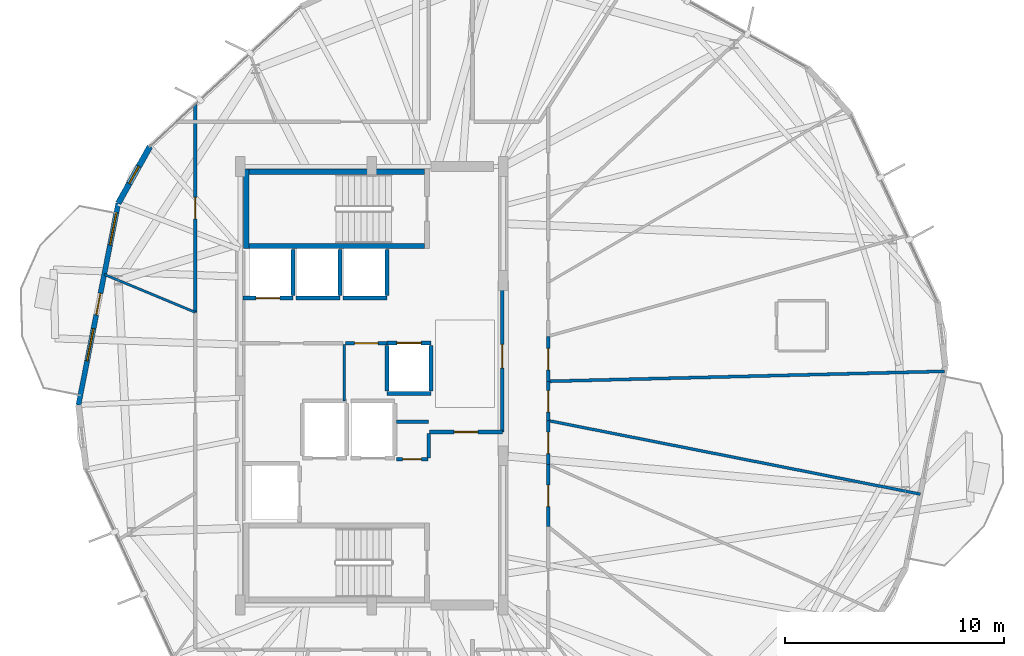
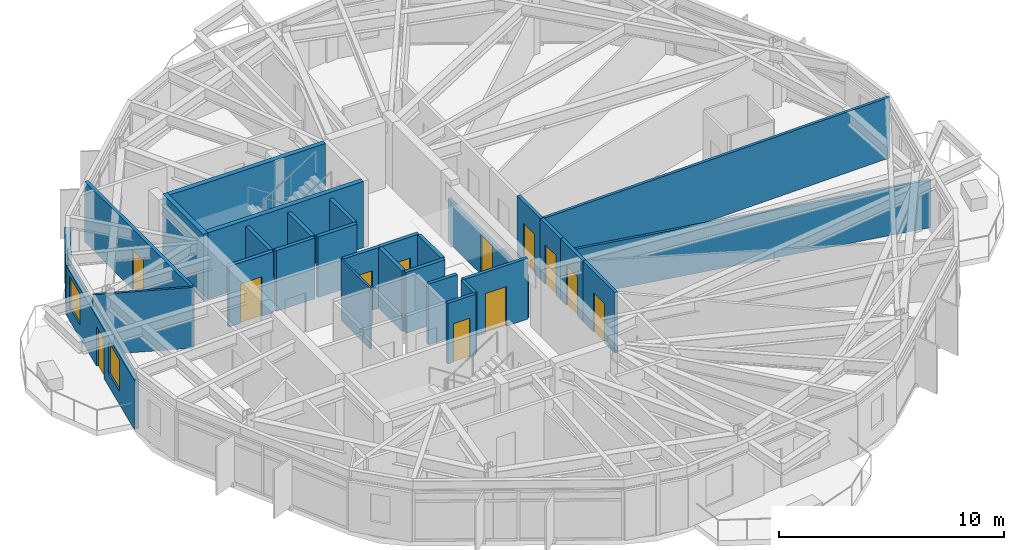
# One storey, part 20 of 25: 30 walls, 12 doors, 3 windows, 15 openings.
"""IFC4 building model written with IfcOpenShell, lengths in metres."""

import ifcopenshell
import ifcopenshell.guid

model = None  # the IFC model being written
_history = None  # IfcOwnerHistory: only IFC2X3 demands one
_inside = {}  # id of a spatial element -> (the spatial element, [elements in it])
_under = {}  # id of a project, library or spatial element -> (it, [spatial elements below it])
_declared = {}  # id of a project -> (the project, [libraries it declares])
_typed = {}  # id of a type object -> (the type object, [elements of that type])
_made_of = {}  # id of a material, layer set ... -> (it, [elements and type objects made of it])


def new_model(schema):
    """Start an empty IFC model of exactly this schema.

    Asked for "IFC4X3", IfcOpenShell would pick the latest addendum, in which some entities
    have other attributes; the version numbers below select the first issue.
    IFC2X3 requires an IfcOwnerHistory on every rooted entity: one is made here for all.
    """
    global model, _history
    if schema == "IFC4X3":
        model = ifcopenshell.file(schema_version=(4, 3, 0, 0))
    else:
        model = ifcopenshell.file(schema=schema)
    _inside.clear()
    _under.clear()
    _declared.clear()
    _typed.clear()
    _made_of.clear()
    _history = None
    if model.schema == "IFC2X3":
        org = make("IfcOrganization", Name="unknown")
        user = make(
            "IfcPersonAndOrganization",
            ThePerson=make("IfcPerson", FamilyName="unknown"),
            TheOrganization=org,
        )
        app = make(
            "IfcApplication",
            ApplicationDeveloper=org,
            Version="unknown",
            ApplicationFullName="unknown",
            ApplicationIdentifier="unknown",
        )
        _history = make(
            "IfcOwnerHistory",
            OwningUser=user,
            OwningApplication=app,
            ChangeAction="ADDED",
            CreationDate=0,
        )
    return model


def make(cls, **values):
    """One entity of the class cls with the attributes given. An attribute that is None is left unset."""
    return model.create_entity(
        cls, **{name: value for name, value in values.items() if value is not None}
    )


def rooted(cls, **values):
    """An entity with a GlobalId (a new one), such as an element, a storey or a relation."""
    return make(cls, GlobalId=ifcopenshell.guid.new(), OwnerHistory=_history, **values)


def si_unit(unit_type, name, prefix=None):
    """IfcSIUnit, for example si_unit("LENGTHUNIT", "METRE", prefix="MILLI")."""
    return make("IfcSIUnit", UnitType=unit_type, Prefix=prefix, Name=name)


def assignment(units):
    """IfcUnitAssignment: the units of a project."""
    return None if units is None else make("IfcUnitAssignment", Units=units)


def point(xyz):
    """IfcCartesianPoint."""
    return None if xyz is None else make("IfcCartesianPoint", Coordinates=xyz)


def direction(xyz):
    """IfcDirection."""
    return None if xyz is None else make("IfcDirection", DirectionRatios=xyz)


def frame(location, z_axis=None, x_axis=None):
    """IfcAxis2Placement3D, a coordinate frame: its origin and axes. An axis left out is left unset."""
    return make(
        "IfcAxis2Placement3D",
        Location=point(location),
        Axis=direction(z_axis),
        RefDirection=direction(x_axis),
    )


def frame_2d(location, x_axis=None):
    """IfcAxis2Placement2D, a coordinate frame in the plane: its origin and x axis."""
    return make(
        "IfcAxis2Placement2D", Location=point(location), RefDirection=direction(x_axis)
    )


def origin():
    """The frame at (0, 0, 0) with its axes left unset."""
    return frame((0.0, 0.0, 0.0))


def place(relative_to, where):
    """IfcLocalPlacement: puts the frame where relative to a parent placement (None: the world)."""
    return make(
        "IfcLocalPlacement", PlacementRelTo=relative_to, RelativePlacement=where
    )


def context(
    kind, dimensions, precision=None, world=None, true_north=None, identifier=None
):
    """IfcGeometricRepresentationContext, for example the 3D "Model" context."""
    return make(
        "IfcGeometricRepresentationContext",
        ContextIdentifier=identifier,
        ContextType=kind,
        CoordinateSpaceDimension=dimensions,
        Precision=precision,
        WorldCoordinateSystem=world,
        TrueNorth=true_north,
    )


def subcontext(parent, identifier, kind, view, scale=None):
    """IfcGeometricRepresentationSubContext, for example "Body" below "Model"."""
    return make(
        "IfcGeometricRepresentationSubContext",
        ContextIdentifier=identifier,
        ContextType=kind,
        ParentContext=parent,
        TargetScale=scale,
        TargetView=view,
    )


def project(units=None, contexts=None):
    """IfcProject with its units and contexts."""
    return rooted(
        "IfcProject",
        Name="project",
        RepresentationContexts=contexts,
        UnitsInContext=assignment(units),
    )


def spatial(cls, under=None, at=None, **own):
    """A site, building, storey or space (cls), placed at a placement, below another one or the project."""
    s = rooted(cls, ObjectPlacement=at, **own)
    if under is not None:
        _under.setdefault(under.id(), (under, []))[1].append(s)
    return s


def profile(cls, at=None, kind="AREA", **sizes):
    """A parametric profile (cls). Its sizes go by their IFC names, for example OverallWidth=200.0."""
    return make(cls, ProfileType=kind, Position=at, **sizes)


def rectangle(**sizes):
    """IfcRectangleProfileDef."""
    return profile("IfcRectangleProfileDef", **sizes)


def extrude(swept, where, along, depth):
    """IfcExtrudedAreaSolid: the profile swept, set in the frame where, extruded along a direction by depth."""
    return make(
        "IfcExtrudedAreaSolid",
        SweptArea=swept,
        Position=where,
        ExtrudedDirection=direction(along),
        Depth=depth,
    )


def shape(context_of_items, identifier, shape_type, items):
    """IfcShapeRepresentation: the items that make up one representation, for example the "Body"."""
    return make(
        "IfcShapeRepresentation",
        ContextOfItems=context_of_items,
        RepresentationIdentifier=identifier,
        RepresentationType=shape_type,
        Items=items,
    )


def material(Name=None, Category=None):
    """IfcMaterial."""
    return make("IfcMaterial", Name=Name, Category=Category)


def layer(
    of_material, thickness, ventilated=None, Name=None, Category=None, Priority=None
):
    """IfcMaterialLayer: one layer of a wall or slab, of a material (None: an air gap)."""
    return make(
        "IfcMaterialLayer",
        Material=of_material,
        LayerThickness=thickness,
        IsVentilated=ventilated,
        Name=Name,
        Category=Category,
        Priority=Priority,
    )


def layer_set(layers, Name=None):
    """IfcMaterialLayerSet."""
    return make("IfcMaterialLayerSet", MaterialLayers=layers, LayerSetName=Name)


def made_of(thing, what):
    """Note that an element or type object is made of a material, layer set ...; save() writes the relation."""
    if what is not None:
        _made_of.setdefault(what.id(), (what, []))[1].append(thing)
    return thing


def type_object(cls, material=None, **own):
    """A type object (cls), such as IfcWallType, which elements share."""
    return made_of(rooted(cls, **own), material)


def element(
    cls,
    number,
    at=None,
    inside=None,
    cuts=None,
    type_object=None,
    material=None,
    context=None,
    identifier="Body",
    shape_type=None,
    held_by="IfcProductDefinitionShape",
    body=None,
    shapes=None,
    **own,
):
    """One element of the class cls, such as IfcWall. Its Tag is "e" and its number.

    at: its placement. inside: the storey or other place that contains it. cuts: it is an
    opening in that element (IfcRelVoidsElement). A single representation is given by context,
    identifier, shape_type and body (its items); several are given by shapes. held_by: the class
    of the entity that holds the representations. save() writes the other relations.
    """
    e = rooted(cls, Tag="e%d" % number, ObjectPlacement=at, **own)
    if body is not None:
        shapes = [shape(context, identifier, shape_type, body)]
    if shapes is not None:
        e.Representation = make(held_by, Representations=shapes)
    if inside is not None:
        _inside.setdefault(inside.id(), (inside, []))[1].append(e)
    if cuts is not None:
        rooted(
            "IfcRelVoidsElement", RelatingBuildingElement=cuts, RelatedOpeningElement=e
        )
    if type_object is not None:
        _typed.setdefault(type_object.id(), (type_object, []))[1].append(e)
    return made_of(e, material)


def fill(opening, filler):
    """IfcRelFillsElement: the door or window that sits in an opening."""
    return rooted(
        "IfcRelFillsElement",
        RelatingOpeningElement=opening,
        RelatedBuildingElement=filler,
    )


def aggregate(whole, parts):
    """IfcRelAggregates: a whole, such as a stair, and the parts it consists of."""
    return rooted("IfcRelAggregates", RelatingObject=whole, RelatedObjects=parts)


def save(model, path):
    """Write the relations noted so far, then the file.

    IfcRelAggregates (storeys below a building ...), IfcRelContainedInSpatialStructure (elements
    in a storey), IfcRelDefinesByType, IfcRelAssociatesMaterial and IfcRelDeclares: one each for
    every whole, place, type object, material and project.
    """
    for whole, parts in _under.values():
        aggregate(whole, parts)
    for where, things in _inside.values():
        rooted(
            "IfcRelContainedInSpatialStructure",
            RelatedElements=things,
            RelatingStructure=where,
        )
    for kind, things in _typed.values():
        rooted("IfcRelDefinesByType", RelatedObjects=things, RelatingType=kind)
    for what, things in _made_of.values():
        rooted("IfcRelAssociatesMaterial", RelatedObjects=things, RelatingMaterial=what)
    for by, libraries in _declared.values():
        rooted("IfcRelDeclares", RelatingContext=by, RelatedDefinitions=libraries)
    model.write(path)


model = new_model("IFC4")

# Units and contexts
model_context = context("Model", 3, precision=1e-05, world=origin(), true_north=direction((0.0, 1.0)))
body_context = subcontext(model_context, "Body", "Model", "MODEL_VIEW")
ifc_project = project(units=[si_unit("LENGTHUNIT", "METRE"), si_unit("AREAUNIT", "SQUARE_METRE"), si_unit("VOLUMEUNIT", "CUBIC_METRE"), si_unit("PLANEANGLEUNIT", "RADIAN"), si_unit("MASSUNIT", "GRAM", prefix="KILO")], contexts=[model_context])

# Site, building, storey
site_placement = place(None, origin())
site = spatial("IfcSite", under=ifc_project, at=site_placement, CompositionType="ELEMENT")
building_placement = place(site_placement, origin())
building = spatial("IfcBuilding", under=site, at=building_placement, Name="Soratama Intermodal Tower", CompositionType="ELEMENT")
storey_placement = place(building_placement, frame((0.0, 0.0, 190.60009765625)))
storey = spatial("IfcBuildingStorey", under=building, at=storey_placement, Name="L47", CompositionType="ELEMENT", Elevation=190.60009765625)

# Wall, openings, door, windows
ifc_material_1 = material(Name="Concrete f'c 42 MPa", Category="concrete")
ifc_layer_1 = layer(ifc_material_1, 0.22998046875)
ifc_layer_set_1 = layer_set([ifc_layer_1], Name="Concrete f'c 42 MPa")
wall_type_1 = type_object("IfcWallType", Name="EW-BAL-230", PredefinedType="SOLIDWALL", material=ifc_layer_set_1)
wall_1_placement = place(storey_placement, frame((27.033935546875, 33.32568359375, 0.0), z_axis=(0.0, 0.0, 1.0), x_axis=(-0.193553277769, -0.981089765855, 0.0)))
wall_1 = element("IfcWall", 1, at=wall_1_placement, inside=storey, type_object=wall_type_1, Name="L47 Terrace Wall F04", PredefinedType="SOLIDWALL", context=body_context, shape_type="SweptSolid", body=[
    extrude(rectangle(XDim=9.382080078125, YDim=0.22998046875, at=frame_2d((4.69091796875, 0.0))), origin(), (0.0, 0.0, 1.0), 2.678955078125),
])
opening_1_placement = place(wall_1_placement, frame((4.191162109375, 0.0, 0.0)))
opening_1 = element("IfcOpeningElement", 2, at=opening_1_placement, cuts=wall_1, Name="Opening ED-2", PredefinedType="OPENING", context=body_context, shape_type="SweptSolid", body=[
    extrude(rectangle(XDim=1.0, YDim=2.14990234375, at=frame_2d((0.5, 1.074951171875))), frame((0.0, 0.125, 0.0), z_axis=(0.0, -1.0, 0.0), x_axis=(1.0, 0.0, 0.0)), (0.0, 0.0, 1.0), 0.25),
])
opening_2_placement = place(wall_1_placement, frame((0.43994140625, 0.0, 0.719970703125)))
opening_2 = element("IfcOpeningElement", 3, at=opening_2_placement, cuts=wall_1, Name="Opening WN-1", PredefinedType="OPENING", context=body_context, shape_type="SweptSolid", body=[
    extrude(rectangle(XDim=1.5, YDim=1.699951171875, at=frame_2d((0.75, 0.85009765625))), frame((0.0, 0.125, 0.0), z_axis=(0.0, -1.0, 0.0), x_axis=(1.0, 0.0, 0.0)), (0.0, 0.0, 1.0), 0.25),
])
opening_3_placement = place(wall_1_placement, frame((5.8310546875, 0.0, 0.719970703125)))
opening_3 = element("IfcOpeningElement", 4, at=opening_3_placement, cuts=wall_1, Name="Opening WN-1", PredefinedType="OPENING", context=body_context, shape_type="SweptSolid", body=[
    extrude(rectangle(XDim=1.5, YDim=1.699951171875, at=frame_2d((0.75, 0.85009765625))), frame((0.0, 0.125, 0.0), z_axis=(0.0, -1.0, 0.0), x_axis=(1.0, 0.0, 0.0)), (0.0, 0.0, 1.0), 0.25),
])
ifc_material_2 = material(Name="Double-glazed aluminium door", Category="aluminium")
door_type_1 = type_object("IfcDoorType", Name="DR-BAL-1000", OperationType="NOTDEFINED", PredefinedType="DOOR", material=ifc_material_2)
door_1_placement = place(opening_1_placement, origin())
door_1 = element("IfcDoor", 5, at=door_1_placement, inside=storey, type_object=door_type_1, Name="L47 Balcony Door F04", OperationType="SINGLE_SWING_RIGHT", OverallHeight=2.14990234375, OverallWidth=1.0, PredefinedType="DOOR", context=body_context, shape_type="SweptSolid", body=[
    extrude(rectangle(XDim=1.0, YDim=2.14990234375, at=frame_2d((0.5, 1.074951171875))), frame((0.0, 0.02490234375, 0.0), z_axis=(0.0, -1.0, 0.0), x_axis=(1.0, 0.0, 0.0)), (0.0, 0.0, 1.0), 0.050048828125),
])
fill(opening_1, door_1)
ifc_material_3 = material(Name="Double-glazed aluminium window", Category="aluminium")
window_type_1 = type_object("IfcWindowType", Name="WN-FAC-1500", PartitioningType="SINGLE_PANEL", PredefinedType="WINDOW", material=ifc_material_3)
window_1_placement = place(opening_2_placement, origin())
window_1 = element("IfcWindow", 6, at=window_1_placement, inside=storey, type_object=window_type_1, Name="L47 Window A F04", OverallHeight=1.699951171875, OverallWidth=1.5, PartitioningType="SINGLE_PANEL", PredefinedType="WINDOW", context=body_context, shape_type="SweptSolid", body=[
    extrude(rectangle(XDim=1.5, YDim=1.699951171875, at=frame_2d((0.75, 0.85009765625))), frame((0.0, 0.030029296875, 0.0), z_axis=(0.0, -1.0, 0.0), x_axis=(1.0, 0.0, 0.0)), (0.0, 0.0, 1.0), 0.06005859375),
])
fill(opening_2, window_1)
window_2_placement = place(opening_3_placement, origin())
window_2 = element("IfcWindow", 7, at=window_2_placement, inside=storey, type_object=window_type_1, Name="L47 Window B F04", OverallHeight=1.699951171875, OverallWidth=1.5, PartitioningType="SINGLE_PANEL", PredefinedType="WINDOW", context=body_context, shape_type="SweptSolid", body=[
    extrude(rectangle(XDim=1.5, YDim=1.699951171875, at=frame_2d((0.75, 0.85009765625))), frame((0.0, 0.030029296875, 0.0), z_axis=(0.0, -1.0, 0.0), x_axis=(1.0, 0.0, 0.0)), (0.0, 0.0, 1.0), 0.06005859375),
])
fill(opening_3, window_2)

# Wall, opening, window
ifc_material_4 = material(Name="Concrete f'c 42 MPa", Category="concrete")
ifc_layer_2 = layer(ifc_material_4, 0.27001953125)
ifc_layer_set_2 = layer_set([ifc_layer_2], Name="Concrete f'c 42 MPa")
wall_type_2 = type_object("IfcWallType", Name="EW-CRN-270", PredefinedType="SOLIDWALL", material=ifc_layer_set_2)
wall_2_placement = place(storey_placement, frame((28.4794921875, 35.91650390625, 0.0), z_axis=(0.0, 0.0, 1.0), x_axis=(-0.48724212473, -0.87326691904, 0.0)))
wall_2 = element("IfcWall", 8, at=wall_2_placement, inside=storey, type_object=wall_type_2, Name="L47 Corner Closure Wall 03", PredefinedType="SOLIDWALL", context=body_context, shape_type="SweptSolid", body=[
    extrude(rectangle(XDim=2.966796875, YDim=0.27001953125, at=frame_2d((1.4833984375, 0.0))), origin(), (0.0, 0.0, 1.0), 2.678955078125),
])
opening_4_placement = place(wall_2_placement, frame((1.033203125, 0.0, 0.75)))
opening_4 = element("IfcOpeningElement", 9, at=opening_4_placement, cuts=wall_2, Name="Opening WN-6", PredefinedType="OPENING", context=body_context, shape_type="SweptSolid", body=[
    extrude(rectangle(XDim=0.89990234375, YDim=1.5, at=frame_2d((0.449951171875, 0.75))), frame((0.0, 0.14501953125, 0.0), z_axis=(0.0, -1.0, 0.0), x_axis=(1.0, 0.0, 0.0)), (0.0, 0.0, 1.0), 0.2900390625),
])
ifc_material_5 = material(Name="Double-glazed aluminium window", Category="aluminium")
window_type_2 = type_object("IfcWindowType", Name="WN-FAC-900", PartitioningType="SINGLE_PANEL", PredefinedType="WINDOW", material=ifc_material_5)
window_3_placement = place(opening_4_placement, origin())
window_3 = element("IfcWindow", 10, at=window_3_placement, inside=storey, type_object=window_type_2, Name="L47 Corner Window 03", OverallHeight=1.5, OverallWidth=0.89990234375, PartitioningType="SINGLE_PANEL", PredefinedType="WINDOW", context=body_context, shape_type="SweptSolid", body=[
    extrude(rectangle(XDim=0.89990234375, YDim=1.5, at=frame_2d((0.449951171875, 0.75))), frame((0.0, 0.030029296875, 0.0), z_axis=(0.0, -1.0, 0.0), x_axis=(1.0, 0.0, 0.0)), (0.0, 0.0, 1.0), 0.06005859375),
])
fill(opening_4, window_3)

# Wall, opening, door
ifc_material_6 = material(Name="Fire-rated gypsum stud partition", Category="concrete")
ifc_layer_3 = layer(ifc_material_6, 0.169921875)
ifc_layer_set_3 = layer_set([ifc_layer_3], Name="Fire-rated gypsum stud partition")
wall_type_3 = type_object("IfcWallType", Name="IW-PART-R170", PredefinedType="PARTITIONING", material=ifc_layer_set_3)
wall_3_placement = place(storey_placement, frame((30.550048828125, 28.35107421875, 0.0), z_axis=(0.0, 0.0, 1.0), x_axis=(0.0, 1.0, 0.0)))
wall_3 = element("IfcWall", 11, at=wall_3_placement, inside=storey, type_object=wall_type_3, Name="L47 Partition W-L47-TP008", PredefinedType="PARTITIONING", context=body_context, shape_type="SweptSolid", body=[
    extrude(rectangle(XDim=9.48486328125, YDim=0.169921875, at=frame_2d((4.742431640625, 0.0))), origin(), (0.0, 0.0, 1.0), 3.2998046875),
])
opening_5_placement = place(wall_3_placement, frame((4.26806640625, 0.0, 0.0)))
opening_5 = element("IfcOpeningElement", 12, at=opening_5_placement, cuts=wall_3, Name="Opening ID-5", PredefinedType="OPENING", context=body_context, shape_type="SweptSolid", body=[
    extrude(rectangle(XDim=0.97998046875, YDim=2.14990234375, at=frame_2d((0.489990234375, 1.074951171875))), frame((0.0, 0.094970703125, 0.0), z_axis=(0.0, -1.0, 0.0), x_axis=(1.0, 0.0, 0.0)), (0.0, 0.0, 1.0), 0.18994140625),
])
ifc_material_7 = material(Name="Solid hardwood acoustic door", Category="wood")
door_type_2 = type_object("IfcDoorType", Name="DR-OFF-980", OperationType="NOTDEFINED", PredefinedType="DOOR", material=ifc_material_7)
door_2_placement = place(opening_5_placement, origin())
door_2 = element("IfcDoor", 13, at=door_2_placement, inside=storey, type_object=door_type_2, Name="L47 Door D-L47-TP001", OperationType="SINGLE_SWING_RIGHT", OverallHeight=2.14990234375, OverallWidth=0.97998046875, PredefinedType="DOOR", context=body_context, shape_type="SweptSolid", body=[
    extrude(rectangle(XDim=0.97998046875, YDim=2.14990234375, at=frame_2d((0.489990234375, 1.074951171875))), frame((0.0, 0.02490234375, 0.0), z_axis=(0.0, -1.0, 0.0), x_axis=(1.0, 0.0, 0.0)), (0.0, 0.0, 1.0), 0.050048828125),
])
fill(opening_5, door_2)

wall_4_placement = place(storey_placement, frame((44.56005859375, 29.800048828125, 0.0), z_axis=(0.0, 0.0, 1.0), x_axis=(0.0, -1.0, 0.0)))
wall_4 = element("IfcWall", 14, at=wall_4_placement, inside=storey, type_object=wall_type_3, Name="L47 Partition W-L47-TP017", PredefinedType="PARTITIONING", context=body_context, shape_type="SweptSolid", body=[
    extrude(rectangle(XDim=6.91015625, YDim=0.169921875, at=frame_2d((3.455078125, 0.0))), origin(), (0.0, 0.0, 1.0), 2.33984375),
])
opening_6_placement = place(wall_4_placement, frame((2.9150390625, 0.0, 0.0)))
opening_6 = element("IfcOpeningElement", 15, at=opening_6_placement, cuts=wall_4, Name="Opening ID-1", PredefinedType="OPENING", context=body_context, shape_type="SweptSolid", body=[
    extrude(rectangle(XDim=1.080078125, YDim=2.14990234375, at=frame_2d((0.5400390625, 1.074951171875))), frame((0.0, 0.094970703125, 0.0), z_axis=(0.0, -1.0, 0.0), x_axis=(1.0, 0.0, 0.0)), (0.0, 0.0, 1.0), 0.18994140625),
])
ifc_material_8 = material(Name="Solid hardwood acoustic door", Category="wood")
door_type_3 = type_object("IfcDoorType", Name="DR-LOB-FD60", OperationType="NOTDEFINED", PredefinedType="DOOR", material=ifc_material_8)
door_3_placement = place(opening_6_placement, origin())
door_3 = element("IfcDoor", 16, at=door_3_placement, inside=storey, type_object=door_type_3, Name="L47 Door D-L47-TP006", OperationType="SINGLE_SWING_LEFT", OverallHeight=2.14990234375, OverallWidth=1.080078125, PredefinedType="DOOR", context=body_context, shape_type="SweptSolid", body=[
    extrude(rectangle(XDim=1.080078125, YDim=2.14990234375, at=frame_2d((0.5400390625, 1.074951171875))), frame((0.0, 0.02490234375, 0.0), z_axis=(0.0, -1.0, 0.0), x_axis=(1.0, 0.0, 0.0)), (0.0, 0.0, 1.0), 0.050048828125),
])
fill(opening_6, door_3)

wall_5_placement = place(storey_placement, frame((41.239990234375, 22.889892578125, 0.0), z_axis=(0.0, 0.0, 1.0), x_axis=(1.0, 0.0, 0.0)))
wall_5 = element("IfcWall", 17, at=wall_5_placement, inside=storey, type_object=wall_type_3, Name="L47 Partition W-L47-TP029", PredefinedType="PARTITIONING", context=body_context, shape_type="SweptSolid", body=[
    extrude(rectangle(XDim=3.320068359375, YDim=0.169921875, at=frame_2d((1.66015625, 0.0))), origin(), (0.0, 0.0, 1.0), 3.2998046875),
])
opening_7_placement = place(wall_5_placement, frame((1.1201171875, 0.0, 0.0)))
opening_7 = element("IfcOpeningElement", 18, at=opening_7_placement, cuts=wall_5, Name="Opening ID-0", PredefinedType="OPENING", context=body_context, shape_type="SweptSolid", body=[
    extrude(rectangle(XDim=1.080078125, YDim=2.14990234375, at=frame_2d((0.5400390625, 1.074951171875))), frame((0.0, 0.094970703125, 0.0), z_axis=(0.0, -1.0, 0.0), x_axis=(1.0, 0.0, 0.0)), (0.0, 0.0, 1.0), 0.18994140625),
])
ifc_material_9 = material(Name="Solid hardwood acoustic door", Category="wood")
door_type_4 = type_object("IfcDoorType", Name="DR-LOB-FD90", OperationType="NOTDEFINED", PredefinedType="DOOR", material=ifc_material_9)
door_4_placement = place(opening_7_placement, origin())
door_4 = element("IfcDoor", 19, at=door_4_placement, inside=storey, type_object=door_type_4, Name="L47 Door D-L47-TP013", OperationType="SINGLE_SWING_RIGHT", OverallHeight=2.14990234375, OverallWidth=1.080078125, PredefinedType="DOOR", context=body_context, shape_type="SweptSolid", body=[
    extrude(rectangle(XDim=1.080078125, YDim=2.14990234375, at=frame_2d((0.5400390625, 1.074951171875))), frame((0.0, 0.02490234375, 0.0), z_axis=(0.0, -1.0, 0.0), x_axis=(1.0, 0.0, 0.0)), (0.0, 0.0, 1.0), 0.050048828125),
])
fill(opening_7, door_4)

wall_6_placement = place(storey_placement, frame((46.64990234375, 21.405029296875, 0.0), z_axis=(0.0, 0.0, 1.0), x_axis=(0.0, -1.0, 0.0)))
wall_6 = element("IfcWall", 20, at=wall_6_placement, inside=storey, type_object=wall_type_3, Name="L47 Partition W-L47-TP034", PredefinedType="PARTITIONING", context=body_context, shape_type="SweptSolid", body=[
    extrude(rectangle(XDim=2.83203125, YDim=0.169921875, at=frame_2d((1.416015625, 0.0))), origin(), (0.0, 0.0, 1.0), 3.2998046875),
])
opening_8_placement = place(wall_6_placement, frame((0.94091796875, 0.0, 0.0)))
opening_8 = element("IfcOpeningElement", 21, at=opening_8_placement, cuts=wall_6, Name="Opening ID-5", PredefinedType="OPENING", context=body_context, shape_type="SweptSolid", body=[
    extrude(rectangle(XDim=0.97998046875, YDim=2.14990234375, at=frame_2d((0.489990234375, 1.074951171875))), frame((0.0, 0.094970703125, 0.0), z_axis=(0.0, -1.0, 0.0), x_axis=(1.0, 0.0, 0.0)), (0.0, 0.0, 1.0), 0.18994140625),
])
door_5_placement = place(opening_8_placement, origin())
door_5 = element("IfcDoor", 22, at=door_5_placement, inside=storey, type_object=door_type_2, Name="L47 Door D-L47-TP016", OperationType="SINGLE_SWING_LEFT", OverallHeight=2.14990234375, OverallWidth=0.97998046875, PredefinedType="DOOR", context=body_context, shape_type="SweptSolid", body=[
    extrude(rectangle(XDim=0.97998046875, YDim=2.14990234375, at=frame_2d((0.489990234375, 1.074951171875))), frame((0.0, 0.02490234375, 0.0), z_axis=(0.0, -1.0, 0.0), x_axis=(1.0, 0.0, 0.0)), (0.0, 0.0, 1.0), 0.050048828125),
])
fill(opening_8, door_5)

wall_7_placement = place(storey_placement, frame((46.64990234375, 27.258056640625, 0.0), z_axis=(0.0, 0.0, 1.0), x_axis=(0.0, -1.0, 0.0)))
wall_7 = element("IfcWall", 23, at=wall_7_placement, inside=storey, type_object=wall_type_3, Name="L47 Partition W-L47-TP041", PredefinedType="PARTITIONING", context=body_context, shape_type="SweptSolid", body=[
    extrude(rectangle(XDim=2.05615234375, YDim=0.169921875, at=frame_2d((1.028076171875, 0.0))), origin(), (0.0, 0.0, 1.0), 3.2998046875),
])
opening_9_placement = place(wall_7_placement, frame((0.552978515625, 0.0, 0.0)))
opening_9 = element("IfcOpeningElement", 24, at=opening_9_placement, cuts=wall_7, Name="Opening ID-5", PredefinedType="OPENING", context=body_context, shape_type="SweptSolid", body=[
    extrude(rectangle(XDim=0.97998046875, YDim=2.14990234375, at=frame_2d((0.489990234375, 1.074951171875))), frame((0.0, 0.094970703125, 0.0), z_axis=(0.0, -1.0, 0.0), x_axis=(1.0, 0.0, 0.0)), (0.0, 0.0, 1.0), 0.18994140625),
])
door_6_placement = place(opening_9_placement, origin())
door_6 = element("IfcDoor", 25, at=door_6_placement, inside=storey, type_object=door_type_2, Name="L47 Door D-L47-TP019", OperationType="SINGLE_SWING_RIGHT", OverallHeight=2.14990234375, OverallWidth=0.97998046875, PredefinedType="DOOR", context=body_context, shape_type="SweptSolid", body=[
    extrude(rectangle(XDim=0.97998046875, YDim=2.14990234375, at=frame_2d((0.489990234375, 1.074951171875))), frame((0.0, 0.02490234375, 0.0), z_axis=(0.0, -1.0, 0.0), x_axis=(1.0, 0.0, 0.0)), (0.0, 0.0, 1.0), 0.050048828125),
])
fill(opening_9, door_6)

wall_8_placement = place(storey_placement, frame((46.64990234375, 23.409912109375, 0.0), z_axis=(0.0, 0.0, 1.0), x_axis=(0.0, -1.0, 0.0)))
wall_8 = element("IfcWall", 26, at=wall_8_placement, inside=storey, type_object=wall_type_3, Name="L47 Partition W-L47-TP042", PredefinedType="PARTITIONING", context=body_context, shape_type="SweptSolid", body=[
    extrude(rectangle(XDim=2.0048828125, YDim=0.169921875, at=frame_2d((1.00244140625, 0.0))), origin(), (0.0, 0.0, 1.0), 3.2998046875),
])
opening_10_placement = place(wall_8_placement, frame((0.527099609375, 0.0, 0.0)))
opening_10 = element("IfcOpeningElement", 27, at=opening_10_placement, cuts=wall_8, Name="Opening ID-5", PredefinedType="OPENING", context=body_context, shape_type="SweptSolid", body=[
    extrude(rectangle(XDim=0.97998046875, YDim=2.14990234375, at=frame_2d((0.489990234375, 1.074951171875))), frame((0.0, 0.094970703125, 0.0), z_axis=(0.0, -1.0, 0.0), x_axis=(1.0, 0.0, 0.0)), (0.0, 0.0, 1.0), 0.18994140625),
])
door_7_placement = place(opening_10_placement, origin())
door_7 = element("IfcDoor", 28, at=door_7_placement, inside=storey, type_object=door_type_2, Name="L47 Door D-L47-TP020", OperationType="SINGLE_SWING_LEFT", OverallHeight=2.14990234375, OverallWidth=0.97998046875, PredefinedType="DOOR", context=body_context, shape_type="SweptSolid", body=[
    extrude(rectangle(XDim=0.97998046875, YDim=2.14990234375, at=frame_2d((0.489990234375, 1.074951171875))), frame((0.0, 0.02490234375, 0.0), z_axis=(0.0, -1.0, 0.0), x_axis=(1.0, 0.0, 0.0)), (0.0, 0.0, 1.0), 0.050048828125),
])
fill(opening_10, door_7)

wall_9_placement = place(storey_placement, frame((39.300048828125, 26.93994140625, 0.0), z_axis=(0.0, 0.0, 1.0), x_axis=(-1.0, 0.0, 0.0)))
wall_9 = element("IfcWall", 29, at=wall_9_placement, inside=storey, type_object=wall_type_3, Name="L47 Partition W-L47-TP043", PredefinedType="PARTITIONING", context=body_context, shape_type="SweptSolid", body=[
    extrude(rectangle(XDim=1.89013671875, YDim=0.169921875, at=frame_2d((0.945068359375, 0.0))), origin(), (0.0, 0.0, 1.0), 3.2998046875),
])
opening_11_placement = place(wall_9_placement, frame((0.405029296875, 0.0, 0.0)))
opening_11 = element("IfcOpeningElement", 30, at=opening_11_placement, cuts=wall_9, Name="Opening ID-1", PredefinedType="OPENING", context=body_context, shape_type="SweptSolid", body=[
    extrude(rectangle(XDim=1.080078125, YDim=2.14990234375, at=frame_2d((0.5400390625, 1.074951171875))), frame((0.0, 0.094970703125, 0.0), z_axis=(0.0, -1.0, 0.0), x_axis=(1.0, 0.0, 0.0)), (0.0, 0.0, 1.0), 0.18994140625),
])
door_8_placement = place(opening_11_placement, origin())
door_8 = element("IfcDoor", 31, at=door_8_placement, inside=storey, type_object=door_type_3, Name="L47 Door D-L47-TP021", OperationType="SINGLE_SWING_RIGHT", OverallHeight=2.14990234375, OverallWidth=1.080078125, PredefinedType="DOOR", context=body_context, shape_type="SweptSolid", body=[
    extrude(rectangle(XDim=1.080078125, YDim=2.14990234375, at=frame_2d((0.5400390625, 1.074951171875))), frame((0.0, 0.02490234375, 0.0), z_axis=(0.0, -1.0, 0.0), x_axis=(1.0, 0.0, 0.0)), (0.0, 0.0, 1.0), 0.050048828125),
])
fill(opening_11, door_8)

wall_10_placement = place(storey_placement, frame((46.64990234375, 25.201904296875, 0.0), z_axis=(0.0, 0.0, 1.0), x_axis=(0.0, -1.0, 0.0)))
wall_10 = element("IfcWall", 32, at=wall_10_placement, inside=storey, type_object=wall_type_3, Name="L47 Partition W-L47-TP044", PredefinedType="PARTITIONING", context=body_context, shape_type="SweptSolid", body=[
    extrude(rectangle(XDim=1.7919921875, YDim=0.169921875, at=frame_2d((0.89599609375, 0.0))), origin(), (0.0, 0.0, 1.0), 3.2998046875),
])
opening_12_placement = place(wall_10_placement, frame((0.4208984375, 0.0, 0.0)))
opening_12 = element("IfcOpeningElement", 33, at=opening_12_placement, cuts=wall_10, Name="Opening ID-5", PredefinedType="OPENING", context=body_context, shape_type="SweptSolid", body=[
    extrude(rectangle(XDim=0.97998046875, YDim=2.14990234375, at=frame_2d((0.489990234375, 1.074951171875))), frame((0.0, 0.094970703125, 0.0), z_axis=(0.0, -1.0, 0.0), x_axis=(1.0, 0.0, 0.0)), (0.0, 0.0, 1.0), 0.18994140625),
])
door_9_placement = place(opening_12_placement, origin())
door_9 = element("IfcDoor", 34, at=door_9_placement, inside=storey, type_object=door_type_2, Name="L47 Door D-L47-TP022", OperationType="SINGLE_SWING_LEFT", OverallHeight=2.14990234375, OverallWidth=0.97998046875, PredefinedType="DOOR", context=body_context, shape_type="SweptSolid", body=[
    extrude(rectangle(XDim=0.97998046875, YDim=2.14990234375, at=frame_2d((0.489990234375, 1.074951171875))), frame((0.0, 0.02490234375, 0.0), z_axis=(0.0, -1.0, 0.0), x_axis=(1.0, 0.0, 0.0)), (0.0, 0.0, 1.0), 0.050048828125),
])
fill(opening_12, door_9)

wall_11_placement = place(storey_placement, frame((39.719970703125, 21.639892578125, 0.0), z_axis=(0.0, 0.0, 1.0), x_axis=(1.0, 0.0, 0.0)))
wall_11 = element("IfcWall", 35, at=wall_11_placement, inside=storey, type_object=wall_type_3, Name="L47 Partition W-L47-TP047", PredefinedType="PARTITIONING", context=body_context, shape_type="SweptSolid", body=[
    extrude(rectangle(XDim=1.43994140625, YDim=0.169921875, at=frame_2d((0.719970703125, 0.0))), origin(), (0.0, 0.0, 1.0), 3.2998046875),
])
opening_13_placement = place(wall_11_placement, frame((0.294921875, 0.0, 0.0)))
opening_13 = element("IfcOpeningElement", 36, at=opening_13_placement, cuts=wall_11, Name="Opening ID-4", PredefinedType="OPENING", context=body_context, shape_type="SweptSolid", body=[
    extrude(rectangle(XDim=0.85009765625, YDim=2.10009765625, at=frame_2d((0.425048828125, 1.050048828125))), frame((0.0, 0.094970703125, 0.0), z_axis=(0.0, -1.0, 0.0), x_axis=(1.0, 0.0, 0.0)), (0.0, 0.0, 1.0), 0.18994140625),
])
ifc_material_10 = material(Name="Solid hardwood acoustic door", Category="wood")
door_type_5 = type_object("IfcDoorType", Name="DR-BATH-850", OperationType="NOTDEFINED", PredefinedType="DOOR", material=ifc_material_10)
door_10_placement = place(opening_13_placement, origin())
door_10 = element("IfcDoor", 37, at=door_10_placement, inside=storey, type_object=door_type_5, Name="L47 Door D-L47-TP023", OperationType="SINGLE_SWING_RIGHT", OverallHeight=2.10009765625, OverallWidth=0.85009765625, PredefinedType="DOOR", context=body_context, shape_type="SweptSolid", body=[
    extrude(rectangle(XDim=0.85009765625, YDim=2.10009765625, at=frame_2d((0.425048828125, 1.050048828125))), frame((0.0, 0.02490234375, 0.0), z_axis=(0.0, -1.0, 0.0), x_axis=(1.0, 0.0, 0.0)), (0.0, 0.0, 1.0), 0.050048828125),
])
fill(opening_13, door_10)

# Walls
wall_12_placement = place(storey_placement, frame((41.199951171875, 21.699951171875, 0.0), z_axis=(0.0, 0.0, 1.0), x_axis=(0.0, 1.0, 0.0)))
element("IfcWall", 38, at=wall_12_placement, inside=storey, type_object=wall_type_3, Name="L47 Partition W-L47-TP048", PredefinedType="PARTITIONING", context=body_context, shape_type="SweptSolid", body=[
    extrude(rectangle(XDim=1.1201171875, YDim=0.169921875, at=frame_2d((0.56005859375, 0.0))), origin(), (0.0, 0.0, 1.0), 3.2998046875),
])
wall_13_placement = place(storey_placement, frame((41.199951171875, 23.360107421875, 0.0), z_axis=(0.0, 0.0, 1.0), x_axis=(-1.0, 0.0, 0.0)))
element("IfcWall", 39, at=wall_13_placement, inside=storey, type_object=wall_type_3, Name="L47 Partition W-L47-TP052", PredefinedType="PARTITIONING", context=body_context, shape_type="SweptSolid", body=[
    extrude(rectangle(XDim=1.47998046875, YDim=0.169921875, at=frame_2d((0.739990234375, 0.0))), origin(), (0.0, 0.0, 1.0), 3.2998046875),
])
ifc_material_11 = material(Name="Fire-rated gypsum stud partition", Category="concrete")
ifc_layer_4 = layer(ifc_material_11, 0.10009765625)
ifc_layer_set_4 = layer_set([ifc_layer_4], Name="Fire-rated gypsum stud partition")
wall_type_4 = type_object("IfcWallType", Name="IW-PART-S100", PredefinedType="PARTITIONING", material=ifc_layer_set_4)
wall_14_placement = place(storey_placement, frame((37.35009765625, 26.8798828125, 0.0), z_axis=(0.0, 0.0, 1.0), x_axis=(0.0, -1.0, 0.0)))
element("IfcWall", 40, at=wall_14_placement, inside=storey, type_object=wall_type_4, Name="L47 Partition W-L47-TP035", PredefinedType="PARTITIONING", context=body_context, shape_type="SweptSolid", body=[
    extrude(rectangle(XDim=2.579833984375, YDim=0.10009765625, at=frame_2d((1.2900390625, 0.0))), origin(), (0.0, 0.0, 1.0), 3.2998046875),
])
ifc_material_12 = material(Name="Fire-rated gypsum stud partition", Category="concrete")
ifc_layer_5 = layer(ifc_material_12, 0.110107421875)
ifc_layer_set_5 = layer_set([ifc_layer_5], Name="Fire-rated gypsum stud partition")
wall_type_5 = type_object("IfcWallType", Name="IW-PART-S110", PredefinedType="PARTITIONING", material=ifc_layer_set_5)
wall_15_placement = place(storey_placement, frame((30.550048828125, 28.35107421875, 0.0), z_axis=(0.0, 0.0, 1.0), x_axis=(-0.9232869961, 0.384110821029, 0.0)))
element("IfcWall", 41, at=wall_15_placement, inside=storey, type_object=wall_type_5, Name="L47 Partition W-L47-TP024", PredefinedType="PARTITIONING", context=body_context, shape_type="SweptSolid", body=[
    extrude(rectangle(XDim=4.501220703125, YDim=0.110107421875, at=frame_2d((2.25048828125, 0.0))), origin(), (0.0, 0.0, 1.0), 3.2998046875),
])
ifc_material_13 = material(Name="Fire-rated gypsum stud partition", Category="concrete")
ifc_layer_6 = layer(ifc_material_13, 0.1298828125)
ifc_layer_set_6 = layer_set([ifc_layer_6], Name="Fire-rated gypsum stud partition")
wall_type_6 = type_object("IfcWallType", Name="IW-PART-S130", PredefinedType="PARTITIONING", material=ifc_layer_set_6)
wall_16_placement = place(storey_placement, frame((46.64990234375, 23.409912109375, 0.0), z_axis=(0.0, 0.0, 1.0), x_axis=(0.981040630624, -0.193802169918, 0.0)))
element("IfcWall", 42, at=wall_16_placement, inside=storey, type_object=wall_type_6, Name="L47 Partition W-L47-TP002", PredefinedType="PARTITIONING", context=body_context, shape_type="SweptSolid", body=[
    extrude(rectangle(XDim=17.311279296875, YDim=0.1298828125, at=frame_2d((8.65576171875, 0.0))), origin(), (0.0, 0.0, 1.0), 2.594970703125),
])
ifc_material_14 = material(Name="Fire-rated gypsum stud partition", Category="concrete")
ifc_layer_7 = layer(ifc_material_14, 0.139892578125)
ifc_layer_set_7 = layer_set([ifc_layer_7], Name="Fire-rated gypsum stud partition")
wall_type_7 = type_object("IfcWallType", Name="IW-PART-S140", PredefinedType="PARTITIONING", material=ifc_layer_set_7)
wall_17_placement = place(storey_placement, frame((64.738037109375, 25.657958984375, 0.0), z_axis=(0.0, 0.0, 1.0), x_axis=(-0.999682305801, -0.025204909598, 0.0)))
element("IfcWall", 43, at=wall_17_placement, inside=storey, type_object=wall_type_7, Name="L47 Partition W-L47-TP001", PredefinedType="PARTITIONING", context=body_context, shape_type="SweptSolid", body=[
    extrude(rectangle(XDim=18.093994140625, YDim=0.139892578125, at=frame_2d((9.046875, 0.0))), origin(), (0.0, 0.0, 1.0), 3.2998046875),
])
ifc_material_15 = material(Name="Concrete f'c 42 MPa", Category="concrete")
ifc_layer_8 = layer(ifc_material_15, 0.18505859375)
ifc_layer_set_8 = layer_set([ifc_layer_8], Name="Concrete f'c 42 MPa")
wall_type_8 = type_object("IfcWallType", Name="IW-SHAFT-185", PredefinedType="SOLIDWALL", material=ifc_layer_set_8)
wall_18_placement = place(storey_placement, frame((39.300048828125, 24.64990234375, 0.0), z_axis=(0.0, 0.0, 1.0), x_axis=(1.0, 0.0, 0.0)))
element("IfcWall", 44, at=wall_18_placement, inside=storey, type_object=wall_type_8, Name="L47 PL-M1 Hoistway Wall S", PredefinedType="SOLIDWALL", context=body_context, shape_type="SweptSolid", body=[
    extrude(rectangle(XDim=2.0, YDim=0.18505859375, at=frame_2d((1.0, 0.0))), origin(), (0.0, 0.0, 1.0), 3.2998046875),
])

# Wall, opening, door
wall_19_placement = place(storey_placement, frame((39.300048828125, 26.949951171875, 0.0), z_axis=(0.0, 0.0, 1.0), x_axis=(1.0, 0.0, 0.0)))
wall_19 = element("IfcWall", 45, at=wall_19_placement, inside=storey, type_object=wall_type_8, Name="L47 PL-M1 Hoistway Wall N", PredefinedType="SOLIDWALL", context=body_context, shape_type="SweptSolid", body=[
    extrude(rectangle(XDim=2.0, YDim=0.18505859375, at=frame_2d((1.0, 0.0))), origin(), (0.0, 0.0, 1.0), 3.2998046875),
])
opening_14_placement = place(wall_19_placement, frame((0.449951171875, 0.0, 0.0)))
opening_14 = element("IfcOpeningElement", 46, at=opening_14_placement, cuts=wall_19, Name="Opening LD-1", PredefinedType="OPENING", context=body_context, shape_type="SweptSolid", body=[
    extrude(rectangle(XDim=1.10009765625, YDim=2.14990234375, at=frame_2d((0.550048828125, 1.074951171875))), frame((0.0, 0.1025390625, 0.0), z_axis=(0.0, -1.0, 0.0), x_axis=(1.0, 0.0, 0.0)), (0.0, 0.0, 1.0), 0.205078125),
])
ifc_material_16 = material(Name="Steel fire door", Category="steel")
door_type_6 = type_object("IfcDoorType", Name="DR-LIFT-SLIDE", OperationType="NOTDEFINED", PredefinedType="DOOR", material=ifc_material_16)
door_11_placement = place(opening_14_placement, origin())
door_11 = element("IfcDoor", 47, at=door_11_placement, inside=storey, type_object=door_type_6, Name="L47 PL-M1 Sliding Landing Door", OperationType="SLIDING_TO_LEFT", OverallHeight=2.14990234375, OverallWidth=1.10009765625, PredefinedType="DOOR", context=body_context, shape_type="SweptSolid", body=[
    extrude(rectangle(XDim=1.10009765625, YDim=2.14990234375, at=frame_2d((0.550048828125, 1.074951171875))), frame((0.0, 0.02490234375, 0.0), z_axis=(0.0, -1.0, 0.0), x_axis=(1.0, 0.0, 0.0)), (0.0, 0.0, 1.0), 0.050048828125),
])
fill(opening_14, door_11)

# Walls
for number, where, z_axis, x_axis, name in (
    (48, (39.300048828125, 24.760009765625, 0.0), (0.0, 0.0, 1.0), (0.0, 1.0, 0.0), "L47 PL-M1 Hoistway Wall W"),
    (49, (41.300048828125, 24.760009765625, 0.0), (0.0, 0.0, 1.0), (0.0, 1.0, 0.0), "L47 PL-M1 Hoistway Wall E"),
):
    element("IfcWall", number, at=place(storey_placement, frame(where, z_axis=z_axis, x_axis=x_axis)), inside=storey, type_object=wall_type_8, Name=name, PredefinedType="SOLIDWALL", context=body_context, shape_type="SweptSolid", body=[
        extrude(rectangle(XDim=2.080078125, YDim=0.18505859375, at=frame_2d((1.0400390625, 0.0))), origin(), (0.0, 0.0, 1.0), 3.2998046875),
    ])

# Wall, opening, door
wall_20_placement = place(storey_placement, frame((32.719970703125, 29.0, 0.0), z_axis=(0.0, 0.0, 1.0), x_axis=(1.0, 0.0, 0.0)))
wall_20 = element("IfcWall", 50, at=wall_20_placement, inside=storey, type_object=wall_type_8, Name="L47 PL-M2 Hoistway Wall S", PredefinedType="SOLIDWALL", context=body_context, shape_type="SweptSolid", body=[
    extrude(rectangle(XDim=2.280029296875, YDim=0.18505859375, at=frame_2d((1.14013671875, 0.0))), origin(), (0.0, 0.0, 1.0), 3.2998046875),
])
opening_15_placement = place(wall_20_placement, frame((0.590087890625, 0.0, 0.0)))
opening_15 = element("IfcOpeningElement", 51, at=opening_15_placement, cuts=wall_20, Name="Opening LD-1", PredefinedType="OPENING", context=body_context, shape_type="SweptSolid", body=[
    extrude(rectangle(XDim=1.10009765625, YDim=2.14990234375, at=frame_2d((0.550048828125, 1.074951171875))), frame((0.0, 0.1025390625, 0.0), z_axis=(0.0, -1.0, 0.0), x_axis=(1.0, 0.0, 0.0)), (0.0, 0.0, 1.0), 0.205078125),
])
door_12_placement = place(opening_15_placement, origin())
door_12 = element("IfcDoor", 52, at=door_12_placement, inside=storey, type_object=door_type_6, Name="L47 PL-M2 Sliding Landing Door", OperationType="SLIDING_TO_LEFT", OverallHeight=2.14990234375, OverallWidth=1.10009765625, PredefinedType="DOOR", context=body_context, shape_type="SweptSolid", body=[
    extrude(rectangle(XDim=1.10009765625, YDim=2.14990234375, at=frame_2d((0.550048828125, 1.074951171875))), frame((0.0, 0.02490234375, 0.0), z_axis=(0.0, -1.0, 0.0), x_axis=(1.0, 0.0, 0.0)), (0.0, 0.0, 1.0), 0.050048828125),
])
fill(opening_15, door_12)

# Walls
wall_21_placement = place(storey_placement, frame((35.0, 29.110107421875, 0.0), z_axis=(0.0, 0.0, 1.0), x_axis=(0.0, 1.0, 0.0)))
element("IfcWall", 53, at=wall_21_placement, inside=storey, type_object=wall_type_8, Name="L47 PL-M2 Hoistway Wall E", PredefinedType="SOLIDWALL", context=body_context, shape_type="SweptSolid", body=[
    extrude(rectangle(XDim=2.099853515625, YDim=0.18505859375, at=frame_2d((1.0498046875, 0.0))), origin(), (0.0, 0.0, 1.0), 3.2998046875),
])
wall_22_placement = place(storey_placement, frame((35.14990234375, 29.0, 0.0), z_axis=(0.0, 0.0, 1.0), x_axis=(1.0, 0.0, 0.0)))
element("IfcWall", 54, at=wall_22_placement, inside=storey, type_object=wall_type_8, Name="L47 PL-H1 Hoistway Wall S", PredefinedType="SOLIDWALL", context=body_context, shape_type="SweptSolid", body=[
    extrude(rectangle(XDim=2.0, YDim=0.18505859375, at=frame_2d((1.0, 0.0))), origin(), (0.0, 0.0, 1.0), 3.2998046875),
])
wall_23_placement = place(storey_placement, frame((37.14990234375, 29.110107421875, 0.0), z_axis=(0.0, 0.0, 1.0), x_axis=(0.0, 1.0, 0.0)))
element("IfcWall", 55, at=wall_23_placement, inside=storey, type_object=wall_type_8, Name="L47 PL-H1 Hoistway Wall E", PredefinedType="SOLIDWALL", context=body_context, shape_type="SweptSolid", body=[
    extrude(rectangle(XDim=2.099853515625, YDim=0.18505859375, at=frame_2d((1.0498046875, 0.0))), origin(), (0.0, 0.0, 1.0), 3.2998046875),
])
wall_24_placement = place(storey_placement, frame((37.300048828125, 29.0, 0.0), z_axis=(0.0, 0.0, 1.0), x_axis=(1.0, 0.0, 0.0)))
element("IfcWall", 56, at=wall_24_placement, inside=storey, type_object=wall_type_8, Name="L47 PL-H2 Hoistway Wall S", PredefinedType="SOLIDWALL", context=body_context, shape_type="SweptSolid", body=[
    extrude(rectangle(XDim=2.0, YDim=0.18505859375, at=frame_2d((1.0, 0.0))), origin(), (0.0, 0.0, 1.0), 3.2998046875),
])
wall_25_placement = place(storey_placement, frame((39.300048828125, 29.110107421875, 0.0), z_axis=(0.0, 0.0, 1.0), x_axis=(0.0, 1.0, 0.0)))
element("IfcWall", 57, at=wall_25_placement, inside=storey, type_object=wall_type_8, Name="L47 PL-H2 Hoistway Wall E", PredefinedType="SOLIDWALL", context=body_context, shape_type="SweptSolid", body=[
    extrude(rectangle(XDim=2.099853515625, YDim=0.18505859375, at=frame_2d((1.0498046875, 0.0))), origin(), (0.0, 0.0, 1.0), 3.2998046875),
])
ifc_material_17 = material(Name="Concrete f'c 56 MPa", Category="concrete")
ifc_layer_9 = layer(ifc_material_17, 0.239990234375)
ifc_layer_set_9 = layer_set([ifc_layer_9], Name="Concrete f'c 56 MPa")
wall_type_9 = type_object("IfcWallType", Name="SW-STAIR-240", PredefinedType="SHEAR", material=ifc_layer_set_9)
wall_26_placement = place(storey_placement, frame((32.8798828125, 31.260009765625, 0.0), z_axis=(0.0, 0.0, 1.0), x_axis=(0.0, 1.0, 0.0)))
element("IfcWall", 58, at=wall_26_placement, inside=storey, type_object=wall_type_9, Name="L47 ST-2 Shaft Shear Wall W", PredefinedType="SHEAR", context=body_context, shape_type="SweptSolid", body=[
    extrude(rectangle(XDim=3.6298828125, YDim=0.239990234375, at=frame_2d((1.81494140625, 0.0))), origin(), (0.0, 0.0, 1.0), 3.599853515625),
])
for number, where, z_axis, x_axis, name in (
    (59, (33.0, 31.3798828125, 0.0), (0.0, 0.0, 1.0), (1.0, 0.0, 0.0), "L47 ST-2 Shaft Shear Wall S"),
    (60, (33.0, 34.77001953125, 0.0), (0.0, 0.0, 1.0), (1.0, 0.0, 0.0), "L47 ST-2 Shaft Shear Wall N"),
):
    element("IfcWall", number, at=place(storey_placement, frame(where, z_axis=z_axis, x_axis=x_axis)), inside=storey, type_object=wall_type_9, Name=name, PredefinedType="SHEAR", context=body_context, shape_type="SweptSolid", body=[
        extrude(rectangle(XDim=8.0, YDim=0.239990234375, at=frame_2d((4.0, 0.0))), origin(), (0.0, 0.0, 1.0), 3.599853515625),
    ])

save(model, "model.ifc")
